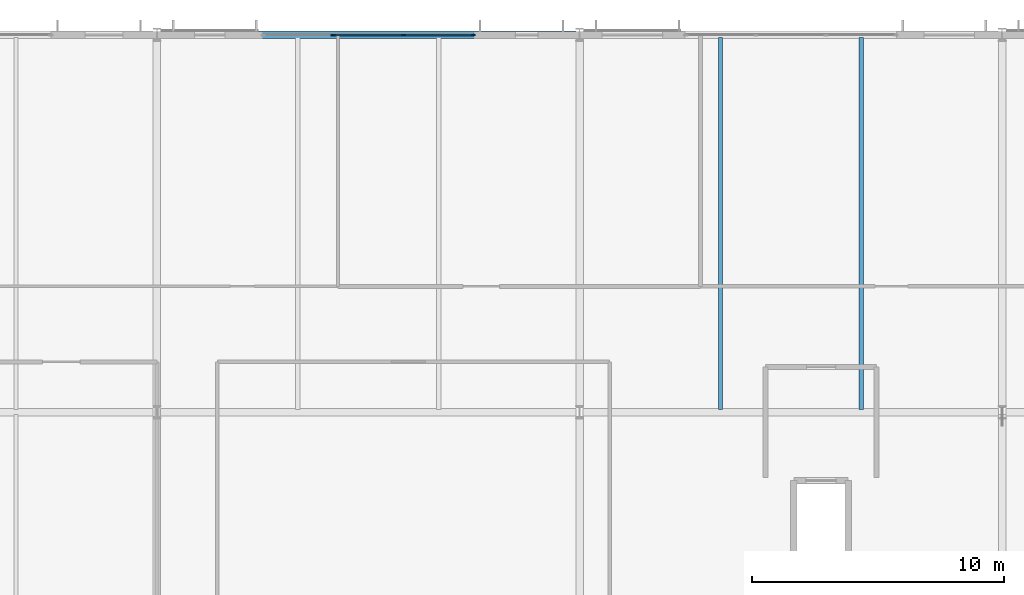
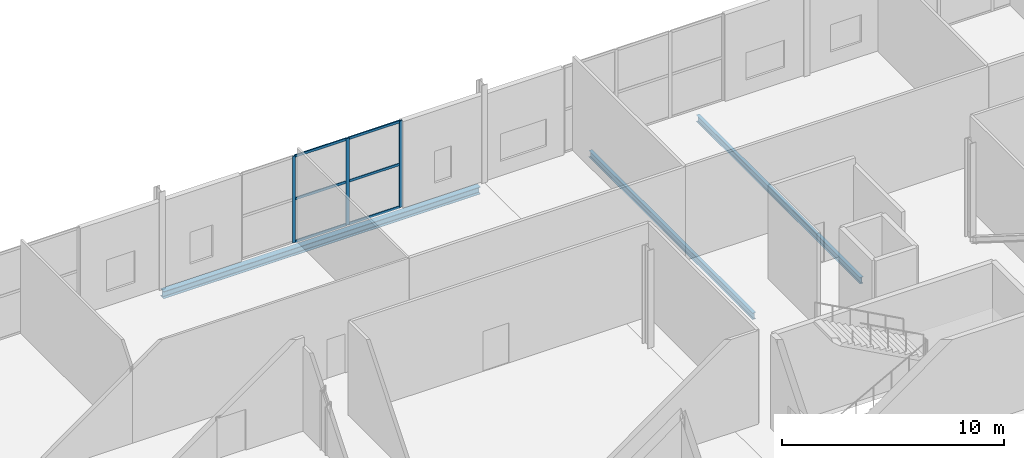
# One storey, part 35 of 84: 9 members, 3 beams, 1 element without a shape of its own.
"""IFC4 building model written with IfcOpenShell, lengths in metres."""

from ifc_helpers import new_model, si_unit, direction, frame, origin, origin_2d, place, context, subcontext, project, spatial, rectangle, i_section, extrude, material, material_profile, profile_set, type_object, element, aggregate, save


model = new_model("IFC4")

# Units and contexts
model_context = context("Model", 3, precision=1e-05, world=origin(), true_north=direction((0.0, 1.0)))
body_context = subcontext(model_context, "Body", "Model", "MODEL_VIEW")
ifc_project = project(units=[si_unit("LENGTHUNIT", "METRE"), si_unit("AREAUNIT", "SQUARE_METRE"), si_unit("VOLUMEUNIT", "CUBIC_METRE"), si_unit("PLANEANGLEUNIT", "RADIAN"), si_unit("MASSUNIT", "GRAM", prefix="KILO")], contexts=[model_context])

# Site, building, storey
site_placement = place(None, origin())
site = spatial("IfcSite", under=ifc_project, at=site_placement, CompositionType="ELEMENT")
building_placement = place(site_placement, origin())
building = spatial("IfcBuilding", under=site, at=building_placement, Name="Kimbaza Rail Terminus", CompositionType="ELEMENT")
storey_placement = place(building_placement, frame((0.0, 0.0, 5.39990234375)))
storey = spatial("IfcBuildingStorey", under=building, at=storey_placement, Name="L01", CompositionType="ELEMENT", Elevation=5.39990234375)

# Curtain wall, members
ifc_material_1 = material(Name="Anodised aluminium framing and solar low-E glazing", Category="aluminium")
curtain_wall_type = type_object("IfcCurtainWallType", Name="ARC-CW-OP1", PredefinedType="USERDEFINED", material=ifc_material_1)
curtain_wall_placement = place(storey_placement, origin())
curtain_wall = element("IfcCurtainWall", 1, at=curtain_wall_placement, inside=storey, type_object=curtain_wall_type, Name="Operations North Curtain Wall L01 Bay 4", ObjectType="UNITISED CURTAIN WALL", PredefinedType="USERDEFINED")
ifc_material_2 = material(Name="Anodised architectural aluminium", Category="aluminium")
ifc_material_profile_1 = material_profile(ifc_material_2, rectangle(XDim=0.06201171875, YDim=0.1650390625, at=origin_2d()), Name="MULLION 62x165")
ifc_profile_set_1 = profile_set([ifc_material_profile_1], Name="Anodised architectural aluminium")
member_type_1 = type_object("IfcMemberType", Name="ARC-CWM-05", PredefinedType="MULLION", material=ifc_profile_set_1)
member_1_placement = place(storey_placement, frame((112.60009765625, 133.0, 0.0), z_axis=(0.0, 0.0, 1.0), x_axis=(0.0, 1.0, 0.0)))
member_1 = element("IfcMember", 2, at=member_1_placement, type_object=member_type_1, Name="CW-05 mullion 2", PredefinedType="MULLION", context=body_context, shape_type="SweptSolid", body=[
    extrude(rectangle(XDim=0.06201171875, YDim=0.1650390625, at=origin_2d()), origin(), (0.0, 0.0, 1.0), 4.76513671875),
])
member_2_placement = place(storey_placement, frame((115.39990234375, 133.0, 0.0), z_axis=(0.0, 0.0, 1.0), x_axis=(0.0, 1.0, 0.0)))
member_2 = element("IfcMember", 3, at=member_2_placement, type_object=member_type_1, Name="CW-05 mullion 3", PredefinedType="MULLION", context=body_context, shape_type="SweptSolid", body=[
    extrude(rectangle(XDim=0.06201171875, YDim=0.1650390625, at=origin_2d()), origin(), (0.0, 0.0, 1.0), 4.76513671875),
])
member_3_placement = place(storey_placement, frame((118.1689453125, 133.0, 0.0), z_axis=(0.0, 0.0, 1.0), x_axis=(0.0, 1.0, 0.0)))
member_3 = element("IfcMember", 4, at=member_3_placement, type_object=member_type_1, Name="CW-05 mullion 4", PredefinedType="MULLION", context=body_context, shape_type="SweptSolid", body=[
    extrude(rectangle(XDim=0.06201171875, YDim=0.1650390625, at=origin_2d()), origin(), (0.0, 0.0, 1.0), 4.76513671875),
])
ifc_material_3 = material(Name="Anodised architectural aluminium", Category="aluminium")
ifc_material_profile_2 = material_profile(ifc_material_3, rectangle(XDim=0.06201171875, YDim=0.135009765625, at=origin_2d()), Name="TRANSOM 62x135")
ifc_profile_set_2 = profile_set([ifc_material_profile_2], Name="Anodised architectural aluminium")
member_type_2 = type_object("IfcMemberType", Name="ARC-CWT-05", PredefinedType="USERDEFINED", material=ifc_profile_set_2)
member_4_placement = place(storey_placement, frame((112.631103515625, 133.0, 0.031005859375), z_axis=(1.0, 0.0, 0.0), x_axis=(0.0, 1.0, 0.0)))
member_4 = element("IfcMember", 5, at=member_4_placement, type_object=member_type_2, Name="CW-05 transom 2.1", ObjectType="TRANSOM", PredefinedType="USERDEFINED", context=body_context, shape_type="SweptSolid", body=[
    extrude(rectangle(XDim=0.06201171875, YDim=0.135009765625, at=origin_2d()), origin(), (0.0, 0.0, 1.0), 2.73779296875),
])
member_5_placement = place(storey_placement, frame((112.631103515625, 133.0, 2.382568359375), z_axis=(1.0, 0.0, 0.0), x_axis=(0.0, 1.0, 0.0)))
member_5 = element("IfcMember", 6, at=member_5_placement, type_object=member_type_2, Name="CW-05 transom 2.2", ObjectType="TRANSOM", PredefinedType="USERDEFINED", context=body_context, shape_type="SweptSolid", body=[
    extrude(rectangle(XDim=0.06201171875, YDim=0.135009765625, at=origin_2d()), origin(), (0.0, 0.0, 1.0), 2.73779296875),
])
member_6_placement = place(storey_placement, frame((112.631103515625, 133.0, 4.734130859375), z_axis=(1.0, 0.0, 0.0), x_axis=(0.0, 1.0, 0.0)))
member_6 = element("IfcMember", 7, at=member_6_placement, type_object=member_type_2, Name="CW-05 transom 2.3", ObjectType="TRANSOM", PredefinedType="USERDEFINED", context=body_context, shape_type="SweptSolid", body=[
    extrude(rectangle(XDim=0.06201171875, YDim=0.135009765625, at=origin_2d()), origin(), (0.0, 0.0, 1.0), 2.73779296875),
])
member_7_placement = place(storey_placement, frame((115.430908203125, 133.0, 0.031005859375), z_axis=(1.0, 0.0, 0.0), x_axis=(0.0, 1.0, 0.0)))
member_7 = element("IfcMember", 8, at=member_7_placement, type_object=member_type_2, Name="CW-05 transom 3.1", ObjectType="TRANSOM", PredefinedType="USERDEFINED", context=body_context, shape_type="SweptSolid", body=[
    extrude(rectangle(XDim=0.06201171875, YDim=0.135009765625, at=origin_2d()), origin(), (0.0, 0.0, 1.0), 2.70703125),
])
member_8_placement = place(storey_placement, frame((115.430908203125, 133.0, 2.382568359375), z_axis=(1.0, 0.0, 0.0), x_axis=(0.0, 1.0, 0.0)))
member_8 = element("IfcMember", 9, at=member_8_placement, type_object=member_type_2, Name="CW-05 transom 3.2", ObjectType="TRANSOM", PredefinedType="USERDEFINED", context=body_context, shape_type="SweptSolid", body=[
    extrude(rectangle(XDim=0.06201171875, YDim=0.135009765625, at=origin_2d()), origin(), (0.0, 0.0, 1.0), 2.70703125),
])
member_9_placement = place(storey_placement, frame((115.430908203125, 133.0, 4.734130859375), z_axis=(1.0, 0.0, 0.0), x_axis=(0.0, 1.0, 0.0)))
member_9 = element("IfcMember", 10, at=member_9_placement, type_object=member_type_2, Name="CW-05 transom 3.3", ObjectType="TRANSOM", PredefinedType="USERDEFINED", context=body_context, shape_type="SweptSolid", body=[
    extrude(rectangle(XDim=0.06201171875, YDim=0.135009765625, at=origin_2d()), origin(), (0.0, 0.0, 1.0), 2.70703125),
])
aggregate(curtain_wall, [member_1, member_2, member_3, member_4, member_5, member_6, member_7, member_8, member_9])

# Beams
ifc_material_4 = material(Name="Steel S355", Category="steel")
ifc_material_profile_3 = material_profile(ifc_material_4, i_section(OverallWidth=0.300048828125, OverallDepth=0.389892578125, WebThickness=0.010986328125, FlangeThickness=0.01904296875, FilletRadius=0.027099609375, at=origin_2d()), Name="HEA 400")
ifc_profile_set_3 = profile_set([ifc_material_profile_3], Name="Steel S355")
beam_type_1 = type_object("IfcBeamType", Name="STR-BM-HEA400", PredefinedType="SPANDREL", material=ifc_profile_set_3)
beam_placement = place(storey_placement, frame((105.74609375, 133.0, -0.434814453125), z_axis=(1.0, 0.0, 0.0), x_axis=(0.0, 1.0, 0.0)))
element("IfcBeam", 11, at=beam_placement, inside=storey, type_object=beam_type_1, Name="Operations Girder L01 X3-Y2", PredefinedType="SPANDREL", context=body_context, shape_type="SweptSolid", body=[
    extrude(i_section(OverallWidth=0.300048828125, OverallDepth=0.389892578125, WebThickness=0.010986328125, FlangeThickness=0.01904296875, FilletRadius=0.027099609375, at=origin_2d()), origin(), (0.0, 0.0, 1.0), 16.5078125),
])
ifc_material_5 = material(Name="Steel S355", Category="steel")
ifc_material_profile_4 = material_profile(ifc_material_5, i_section(OverallWidth=0.169921875, OverallDepth=0.360107421875, WebThickness=0.008056640625, FlangeThickness=0.0126953125, FilletRadius=0.01806640625, at=origin_2d()), Name="IPE 360")
ifc_profile_set_4 = profile_set([ifc_material_profile_4], Name="Steel S355")
beam_type_2 = type_object("IfcBeamType", Name="STR-BM-IPE360", PredefinedType="JOIST", material=ifc_profile_set_4)
for number, where, z_axis, x_axis, name in (
    (12, (128.0, 118.10009765625, -0.419921875), (0.0, 1.0, 0.0), (-1.0, 0.0, 0.0), "Operations Secondary Joist L01"),
    (13, (133.60009765625, 118.10009765625, -0.419921875), (0.0, 1.0, 0.0), (-1.0, 0.0, 0.0), "Operations Secondary Joist L01"),
):
    element("IfcBeam", number, at=place(storey_placement, frame(where, z_axis=z_axis, x_axis=x_axis)), inside=storey, type_object=beam_type_2, Name=name, PredefinedType="JOIST", context=body_context, shape_type="SweptSolid", body=[
        extrude(i_section(OverallWidth=0.169921875, OverallDepth=0.360107421875, WebThickness=0.008056640625, FlangeThickness=0.0126953125, FilletRadius=0.01806640625, at=origin_2d()), origin(), (0.0, 0.0, 1.0), 14.7998046875),
    ])

save(model, "model.ifc")
